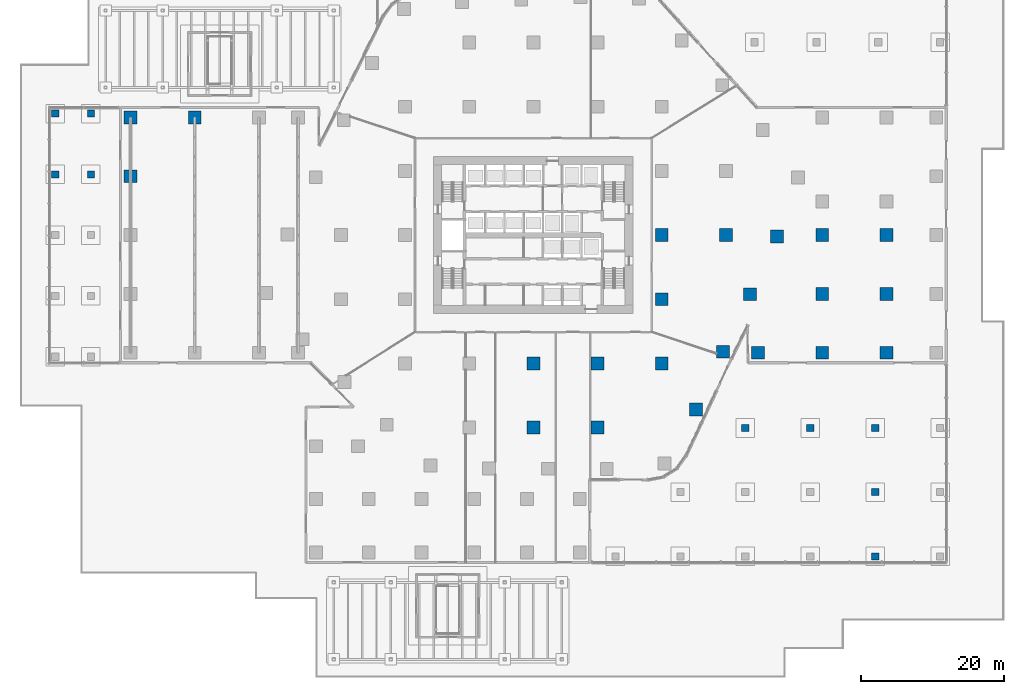
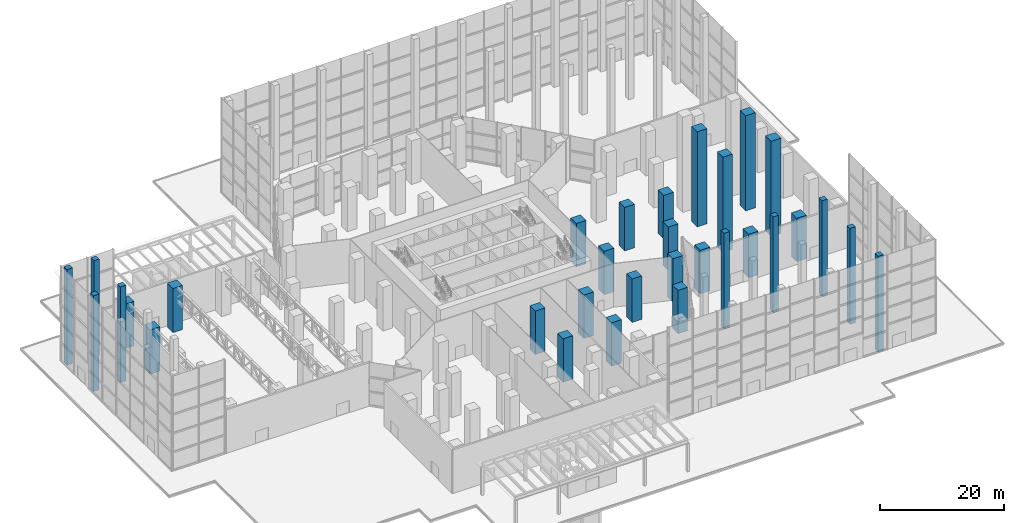
# One storey, part 5 of 40: 31 columns.
"""IFC4 building model written with IfcOpenShell, lengths in metres."""

from ifc_helpers import new_model, si_unit, direction, frame, origin, origin_2d, place, context, subcontext, project, spatial, rectangle, extrude, material, material_profile, profile_set, type_object, element, save


model = new_model("IFC4")

# Units and contexts
model_context = context("Model", 3, precision=1e-05, world=origin(), true_north=direction((0.0, 1.0)))
body_context = subcontext(model_context, "Body", "Model", "MODEL_VIEW")
ifc_project = project(units=[si_unit("LENGTHUNIT", "METRE"), si_unit("AREAUNIT", "SQUARE_METRE"), si_unit("VOLUMEUNIT", "CUBIC_METRE"), si_unit("PLANEANGLEUNIT", "RADIAN"), si_unit("MASSUNIT", "GRAM", prefix="KILO")], contexts=[model_context])

# Site, building, storey
site_placement = place(None, origin())
site = spatial("IfcSite", under=ifc_project, at=site_placement, CompositionType="ELEMENT")
building_placement = place(site_placement, origin())
building = spatial("IfcBuilding", under=site, at=building_placement, Name="Dongbaek Canopy Tower", CompositionType="ELEMENT")
storey_placement = place(building_placement, origin())
storey = spatial("IfcBuildingStorey", under=building, at=storey_placement, Name="L00", CompositionType="ELEMENT", Elevation=0.0)

# Columns
ifc_material_1 = material(Name="Concrete C80", Category="concrete")
ifc_material_profile_1 = material_profile(ifc_material_1, rectangle(XDim=1.800048828125, YDim=1.800048828125, at=origin_2d()), Name="RC COLUMN 1800x1800 C80")
ifc_profile_set_1 = profile_set([ifc_material_profile_1], Name="Concrete C80")
column_type_1 = type_object("IfcColumnType", Name="RC COLUMN 1800x1800 C80", PredefinedType="COLUMN", material=ifc_profile_set_1)
for number, where, z_axis, x_axis, name in (
    (1, (34.14306640625, -0.205078125, 0.0), (0.0, 0.0, 1.0), (1.0, 0.0, 0.0), "COL:CP-23:L00"),
    (2, (30.360107421875, -8.283935546875, 0.0), (0.0, 0.0, 1.0), (1.0, 0.0, 0.0), "COL:CP-24:L00"),
    (3, (26.575927734375, -16.364013671875, 0.0), (0.0, 0.0, 1.0), (1.0, 0.0, 0.0), "COL:CP-25:L00"),
    (4, (22.7919921875, -24.443115234375, 0.0), (0.0, 0.0, 1.0), (1.0, 0.0, 0.0), "COL:CP-26:L00"),
    (5, (0.0, -27.0, 0.0), (0.0, 0.0, 1.0), (1.0, 0.0, 0.0), "COL:CIP-12:L00"),
    (6, (0.0, -18.0, 0.0), (0.0, 0.0, 1.0), (1.0, 0.0, 0.0), "COL:CIP-13:L00"),
    (7, (9.0, -27.0, 0.0), (0.0, 0.0, 1.0), (1.0, 0.0, 0.0), "COL:CIP-16:L00"),
    (8, (9.0, -18.0, 0.0), (0.0, 0.0, 1.0), (1.0, 0.0, 0.0), "COL:CIP-17:L00"),
    (9, (18.0, -18.0, 0.0), (0.0, 0.0, 1.0), (1.0, 0.0, 0.0), "COL:CIP-20:L00"),
    (10, (18.0, -9.0, 0.0), (0.0, 0.0, 1.0), (1.0, 0.0, 0.0), "COL:CIP-21:L00"),
    (11, (18.0, 0.0, 0.0), (0.0, 0.0, 1.0), (1.0, 0.0, 0.0), "COL:CIP-22:L00"),
    (12, (27.0, 0.0, 0.0), (0.0, 0.0, 1.0), (1.0, 0.0, 0.0), "COL:CIP-25:L00"),
):
    element("IfcColumn", number, at=place(storey_placement, frame(where, z_axis=z_axis, x_axis=x_axis)), inside=storey, type_object=column_type_1, Name=name, PredefinedType="COLUMN", context=body_context, shape_type="SweptSolid", body=[
        extrude(rectangle(XDim=1.800048828125, YDim=1.800048828125, at=origin_2d()), origin(), (0.0, 0.0, 1.0), 8.550048828125),
    ])
for number, where, z_axis, x_axis, name in (
    (13, (-56.5, 16.5, 0.0), (0.0, 0.0, 1.0), (1.0, 0.0, 0.0), "COL:CWWW-02:L00"),
    (14, (-47.5, 16.5, 0.0), (0.0, 0.0, 1.0), (1.0, 0.0, 0.0), "COL:CWWW-04:L00"),
    (15, (-56.5, 8.25, 0.0), (0.0, 0.0, 1.0), (1.0, 0.0, 0.0), "COL:CWWW-11:L00"),
):
    element("IfcColumn", number, at=place(storey_placement, frame(where, z_axis=z_axis, x_axis=x_axis)), inside=storey, type_object=column_type_1, Name=name, PredefinedType="COLUMN", context=body_context, shape_type="SweptSolid", body=[
        extrude(rectangle(XDim=1.800048828125, YDim=1.800048828125, at=origin_2d()), origin(), (0.0, 0.0, 1.0), 8.699951171875),
    ])
for number, where, z_axis, x_axis, name in (
    (16, (31.5, -16.5, 0.0), (0.0, 0.0, 1.0), (1.0, 0.0, 0.0), "COL:CWEW-01:L00"),
    (17, (40.5, -16.5, 0.0), (0.0, 0.0, 1.0), (1.0, 0.0, 0.0), "COL:CWEW-02:L00"),
    (18, (49.5, -16.5, 0.0), (0.0, 0.0, 1.0), (1.0, 0.0, 0.0), "COL:CWEW-04:L00"),
):
    element("IfcColumn", number, at=place(storey_placement, frame(where, z_axis=z_axis, x_axis=x_axis)), inside=storey, type_object=column_type_1, Name=name, PredefinedType="COLUMN", context=body_context, shape_type="SweptSolid", body=[
        extrude(rectangle(XDim=1.800048828125, YDim=1.800048828125, at=origin_2d()), origin(), (0.0, 0.0, 1.0), 8.550048828125),
    ])
for number, where, z_axis, x_axis, name in (
    (19, (40.5, -8.25, 0.0), (0.0, 0.0, 1.0), (1.0, 0.0, 0.0), "COL:CWEW-11:L00"),
    (20, (40.5, 0.0, 0.0), (0.0, 0.0, 1.0), (1.0, 0.0, 0.0), "COL:CWEW-12:L00"),
    (21, (49.5, -8.25, 0.0), (0.0, 0.0, 1.0), (1.0, 0.0, 0.0), "COL:CWEW-14:L00"),
    (22, (49.5, 0.0, 0.0), (0.0, 0.0, 1.0), (1.0, 0.0, 0.0), "COL:CWEW-15:L00"),
):
    element("IfcColumn", number, at=place(storey_placement, frame(where, z_axis=z_axis, x_axis=x_axis)), inside=storey, type_object=column_type_1, Name=name, PredefinedType="COLUMN", context=body_context, shape_type="SweptSolid", body=[
        extrude(rectangle(XDim=1.800048828125, YDim=1.800048828125, at=origin_2d()), origin(), (0.0, 0.0, 1.0), 18.699951171875),
    ])
ifc_material_2 = material(Name="Concrete C60", Category="concrete")
ifc_material_profile_2 = material_profile(ifc_material_2, rectangle(XDim=1.0, YDim=1.0, at=origin_2d()), Name="RC HALL COLUMN 1000x1000 C60")
ifc_profile_set_2 = profile_set([ifc_material_profile_2], Name="Concrete C60")
column_type_2 = type_object("IfcColumnType", Name="RC HALL COLUMN 1000x1000 C60", PredefinedType="COLUMN", material=ifc_profile_set_2)
for number, where, z_axis, x_axis, name in (
    (23, (47.93994140625, -45.050048828125, -0.300048828125), (0.0, 0.0, 1.0), (1.0, 0.0, 0.0), "Hall column 25"),
    (24, (47.93994140625, -36.050048828125, -0.300048828125), (0.0, 0.0, 1.0), (1.0, 0.0, 0.0), "Hall column 30"),
    (25, (29.719970703125, -27.050048828125, -0.300048828125), (0.0, 0.0, 1.0), (1.0, 0.0, 0.0), "Hall column 32"),
    (26, (38.830078125, -27.050048828125, -0.300048828125), (0.0, 0.0, 1.0), (1.0, 0.0, 0.0), "Hall column 33"),
    (27, (47.93994140625, -27.050048828125, -0.300048828125), (0.0, 0.0, 1.0), (1.0, 0.0, 0.0), "Hall column 34"),
    (28, (-67.050048828125, 8.52490234375, -0.300048828125), (0.0, 0.0, 1.0), (1.0, 0.0, 0.0), "Hall column 39"),
    (29, (-67.050048828125, 17.050048828125, -0.300048828125), (0.0, 0.0, 1.0), (1.0, 0.0, 0.0), "Hall column 40"),
    (30, (-62.050048828125, 8.52490234375, -0.300048828125), (0.0, 0.0, 1.0), (1.0, 0.0, 0.0), "Hall column 44"),
    (31, (-62.050048828125, 17.050048828125, -0.300048828125), (0.0, 0.0, 1.0), (1.0, 0.0, 0.0), "Hall column 45"),
):
    element("IfcColumn", number, at=place(storey_placement, frame(where, z_axis=z_axis, x_axis=x_axis)), inside=storey, type_object=column_type_2, Name=name, PredefinedType="COLUMN", context=body_context, shape_type="SweptSolid", body=[
        extrude(rectangle(XDim=1.0, YDim=1.0, at=origin_2d()), origin(), (0.0, 0.0, 1.0), 18.85009765625),
    ])

save(model, "model.ifc")
